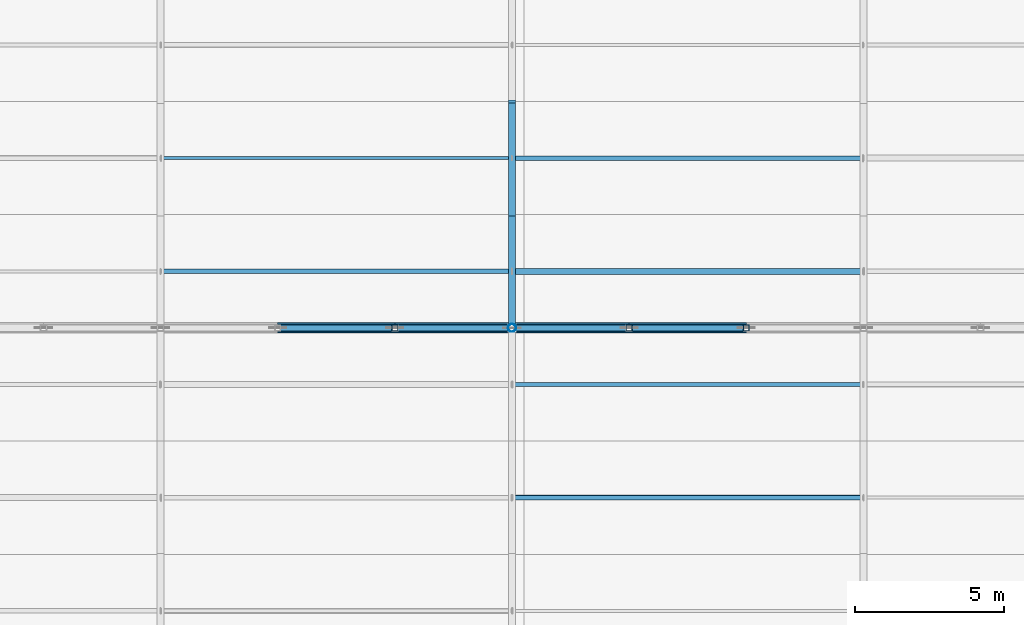
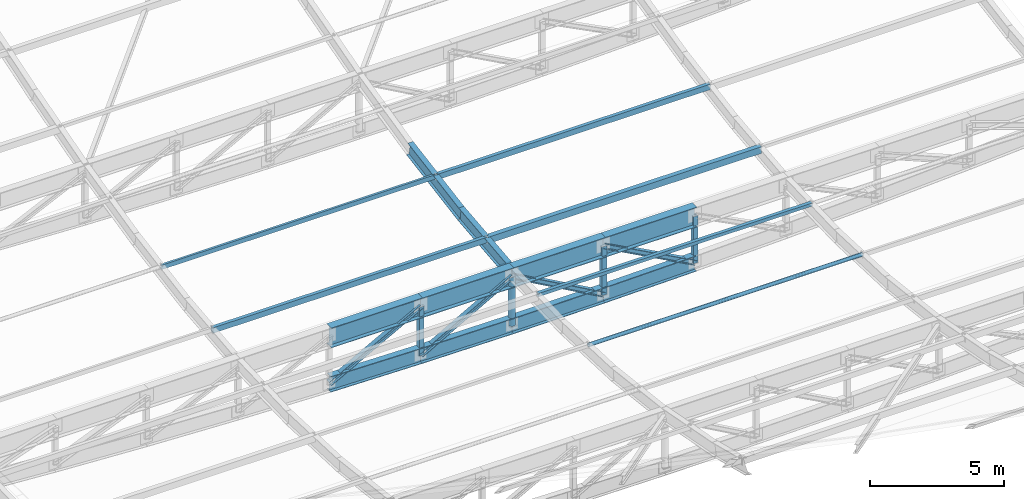
# One storey, part 16 of 65: 16 members, 8 beams.
"""IFC4 building model written with IfcOpenShell, lengths in metres."""

from ifc_helpers import new_model, si_unit, direction, frame, origin, origin_2d, place, context, subcontext, project, spatial, hollow_rectangle, hollow_circle, i_section, extrude, material, material_profile, profile_set, type_object, element, save


model = new_model("IFC4")

# Units and contexts
model_context = context("Model", 3, precision=1e-05, world=origin(), true_north=direction((0.0, 1.0)))
body_context = subcontext(model_context, "Body", "Model", "MODEL_VIEW")
ifc_project = project(units=[si_unit("LENGTHUNIT", "METRE"), si_unit("AREAUNIT", "SQUARE_METRE"), si_unit("VOLUMEUNIT", "CUBIC_METRE"), si_unit("PLANEANGLEUNIT", "RADIAN"), si_unit("MASSUNIT", "GRAM", prefix="KILO"), si_unit("POWERUNIT", "WATT"), si_unit("THERMODYNAMICTEMPERATUREUNIT", "KELVIN")], contexts=[model_context])

# Site, building, storey
site_placement = place(None, origin())
site = spatial("IfcSite", under=ifc_project, at=site_placement, CompositionType="ELEMENT")
building_placement = place(site_placement, origin())
building = spatial("IfcBuilding", under=site, at=building_placement, Name="Kelmbourne Parkland Aquatics Centre", CompositionType="ELEMENT")
storey_placement = place(building_placement, frame((0.0, 0.0, 27.0)))
storey = spatial("IfcBuildingStorey", under=building, at=storey_placement, Name="RF", CompositionType="ELEMENT", Elevation=27.0)

# Members
ifc_material_1 = material(Name="Structural steel AS/NZS 3679.1 Grade 300", Category="steel")
ifc_material_profile_1 = material_profile(ifc_material_1, i_section(OverallWidth=0.205078125, OverallDepth=0.2099609375, WebThickness=0.00927734375, FlangeThickness=0.01416015625, at=origin_2d()), Name="200UC59.5")
ifc_profile_set_1 = profile_set([ifc_material_profile_1], Name="Structural steel AS/NZS 3679.1 Grade 300")
member_type_1 = type_object("IfcMemberType", Name="MB-DIAG3", PredefinedType="STRUT", material=ifc_profile_set_1)
member_1_placement = place(storey_placement, frame((143.7333984375, 57.800048828125, -15.019287109375), z_axis=(0.87880703159, 0.0, 0.477177326817), x_axis=(0.0, 1.0, 0.0)))
element("IfcMember", 1, at=member_1_placement, inside=storey, type_object=member_type_1, Name="Roof truss R05 web diagonal 5", PredefinedType="STRUT", context=body_context, shape_type="SweptSolid", body=[
    extrude(i_section(OverallWidth=0.205078125, OverallDepth=0.2099609375, WebThickness=0.00927734375, FlangeThickness=0.01416015625, at=origin_2d()), origin(), (0.0, 0.0, 1.0), 4.475830078125),
])
member_2_placement = place(storey_placement, frame((147.666748046875, 57.800048828125, -15.090087890625), z_axis=(0.872140224212, 0.0, 0.489255995682), x_axis=(0.0, 1.0, 0.0)))
element("IfcMember", 2, at=member_2_placement, inside=storey, type_object=member_type_1, Name="Roof truss R05 web diagonal 6", PredefinedType="STRUT", context=body_context, shape_type="SweptSolid", body=[
    extrude(i_section(OverallWidth=0.205078125, OverallDepth=0.2099609375, WebThickness=0.00927734375, FlangeThickness=0.01416015625, at=origin_2d()), origin(), (0.0, 0.0, 1.0), 4.510009765625),
])
member_3_placement = place(storey_placement, frame((151.60009765625, 57.800048828125, -12.883544921875), z_axis=(0.87212726535, 0.0, -0.489279095235), x_axis=(0.0, 1.0, 0.0)))
element("IfcMember", 3, at=member_3_placement, inside=storey, type_object=member_type_1, Name="Roof truss R05 web diagonal 7", PredefinedType="STRUT", context=body_context, shape_type="SweptSolid", body=[
    extrude(i_section(OverallWidth=0.205078125, OverallDepth=0.2099609375, WebThickness=0.00927734375, FlangeThickness=0.01416015625, at=origin_2d()), origin(), (0.0, 0.0, 1.0), 4.509765625),
])
member_4_placement = place(storey_placement, frame((155.533203125, 57.800048828125, -12.883544921875), z_axis=(0.878819450955, 0.0, -0.477154453634), x_axis=(0.0, 1.0, 0.0)))
element("IfcMember", 4, at=member_4_placement, inside=storey, type_object=member_type_1, Name="Roof truss R05 web diagonal 8", PredefinedType="STRUT", context=body_context, shape_type="SweptSolid", body=[
    extrude(i_section(OverallWidth=0.205078125, OverallDepth=0.2099609375, WebThickness=0.00927734375, FlangeThickness=0.01416015625, at=origin_2d()), origin(), (0.0, 0.0, 1.0), 4.47607421875),
])
ifc_material_profile_2 = material_profile(ifc_material_1, i_section(OverallWidth=0.22900390625, OverallDepth=0.612060546875, WebThickness=0.011962890625, FlangeThickness=0.01953125, at=origin_2d()), Name="610UB125")
ifc_profile_set_2 = profile_set([ifc_material_profile_2], Name="Structural steel AS/NZS 3679.1 Grade 300")
member_type_2 = type_object("IfcMemberType", Name="MB-LRIB", PredefinedType="STRUT", material=ifc_profile_set_2)
member_5_placement = place(storey_placement, frame((151.60009765625, 57.800048828125, -12.763671875), z_axis=(0.0, 0.994394631205, 0.105732291336), x_axis=(-1.0, 0.0, 0.0)))
element("IfcMember", 5, at=member_5_placement, inside=storey, type_object=member_type_2, Name="Longitudinal wave rib K6 strip 16", PredefinedType="STRUT", context=body_context, shape_type="SweptSolid", body=[
    extrude(i_section(OverallWidth=0.22900390625, OverallDepth=0.612060546875, WebThickness=0.011962890625, FlangeThickness=0.01953125, at=origin_2d()), origin(), (0.0, 0.0, 1.0), 3.821533203125),
])
member_6_placement = place(storey_placement, frame((151.60009765625, 61.60009765625, -12.359619140625), z_axis=(0.0, 0.985411823196, 0.170186775941), x_axis=(-1.0, 0.0, 0.0)))
element("IfcMember", 6, at=member_6_placement, inside=storey, type_object=member_type_2, Name="Longitudinal wave rib K6 strip 17", PredefinedType="STRUT", context=body_context, shape_type="SweptSolid", body=[
    extrude(i_section(OverallWidth=0.22900390625, OverallDepth=0.612060546875, WebThickness=0.011962890625, FlangeThickness=0.01953125, at=origin_2d()), origin(), (0.0, 0.0, 1.0), 3.85595703125),
])
ifc_material_2 = material(Name="Cold-formed hollow steel AS/NZS 1163 C350L0", Category="steel")
ifc_material_profile_3 = material_profile(ifc_material_2, hollow_rectangle(XDim=0.199951171875, YDim=0.199951171875, WallThickness=0.010009765625, at=origin_2d()), Name="SHS 200x200x10.0")
ifc_profile_set_3 = profile_set([ifc_material_profile_3], Name="Cold-formed hollow steel AS/NZS 1163 C350L0")
member_type_3 = type_object("IfcMemberType", Name="MB-POST1", PredefinedType="STRUT", material=ifc_profile_set_3)
for number, where, z_axis, x_axis, name in (
    (7, (147.666748046875, 57.800048828125, -15.090087890625), (0.0, 0.0, 1.0), (1.0, 0.0, 0.0), "Roof truss R05 vertical post 5"),
    (8, (155.533203125, 57.800048828125, -15.090087890625), (0.0, 0.0, 1.0), (1.0, 0.0, 0.0), "Roof truss R05 vertical post 7"),
):
    element("IfcMember", number, at=place(storey_placement, frame(where, z_axis=z_axis, x_axis=x_axis)), inside=storey, type_object=member_type_3, Name=name, PredefinedType="STRUT", context=body_context, shape_type="SweptSolid", body=[
        extrude(hollow_rectangle(XDim=0.199951171875, YDim=0.199951171875, WallThickness=0.010009765625, at=origin_2d()), origin(), (0.0, 0.0, 1.0), 2.20654296875),
    ])
member_7_placement = place(storey_placement, frame((159.466796875, 57.800048828125, -15.019287109375), z_axis=(0.0, 0.0, 1.0), x_axis=(1.0, 0.0, 0.0)))
element("IfcMember", 9, at=member_7_placement, inside=storey, type_object=member_type_3, Name="Roof truss R05 vertical post 8", PredefinedType="STRUT", context=body_context, shape_type="SweptSolid", body=[
    extrude(hollow_rectangle(XDim=0.199951171875, YDim=0.199951171875, WallThickness=0.010009765625, at=origin_2d()), origin(), (0.0, 0.0, 1.0), 2.1357421875),
])
ifc_material_profile_4 = material_profile(ifc_material_2, hollow_circle(Radius=0.136474609375, WallThickness=0.00927734375, at=origin_2d()), Name="CHS 273.1x9.3")
ifc_profile_set_4 = profile_set([ifc_material_profile_4], Name="Cold-formed hollow steel AS/NZS 1163 C350L0")
member_type_4 = type_object("IfcMemberType", Name="MB-POST2", PredefinedType="STRUT", material=ifc_profile_set_4)
member_8_placement = place(storey_placement, frame((151.60009765625, 57.800048828125, -15.113525390625), z_axis=(0.0, 0.0, 1.0), x_axis=(1.0, 0.0, 0.0)))
element("IfcMember", 10, at=member_8_placement, inside=storey, type_object=member_type_4, Name="Roof truss R05 vertical post 6", PredefinedType="STRUT", context=body_context, shape_type="SweptSolid", body=[
    extrude(hollow_circle(Radius=0.136474609375, WallThickness=0.00927734375, at=origin_2d()), origin(), (0.0, 0.0, 1.0), 2.22998046875),
])
ifc_material_profile_5 = material_profile(ifc_material_2, hollow_rectangle(XDim=0.10009765625, YDim=0.199951171875, WallThickness=0.006103515625, at=origin_2d()), Name="RHS 200x100x6.0")
ifc_profile_set_5 = profile_set([ifc_material_profile_5], Name="Cold-formed hollow steel AS/NZS 1163 C350L0")
member_type_5 = type_object("IfcMemberType", Name="MB-PUR1", PredefinedType="PURLIN", material=ifc_profile_set_5)
member_9_placement = place(storey_placement, frame((139.800048828125, 63.5, -11.8212890625), z_axis=(1.0, 0.0, 0.0), x_axis=(0.0, 1.0, 0.0)))
element("IfcMember", 11, at=member_9_placement, inside=storey, type_object=member_type_5, Name="Wave roof purlin S17-G2", PredefinedType="PURLIN", context=body_context, shape_type="SweptSolid", body=[
    extrude(hollow_rectangle(XDim=0.10009765625, YDim=0.199951171875, WallThickness=0.006103515625, at=origin_2d()), origin(), (0.0, 0.0, 1.0), 11.800048828125),
])
ifc_material_profile_6 = material_profile(ifc_material_2, hollow_rectangle(XDim=0.14990234375, YDim=0.25, WallThickness=0.009033203125, at=origin_2d()), Name="RHS 250x150x9.0")
ifc_profile_set_6 = profile_set([ifc_material_profile_6], Name="Cold-formed hollow steel AS/NZS 1163 C350L0")
member_type_6 = type_object("IfcMemberType", Name="MB-PUR2", PredefinedType="PURLIN", material=ifc_profile_set_6)
member_10_placement = place(storey_placement, frame((139.800048828125, 59.699951171875, -12.37646484375), z_axis=(1.0, 0.0, 0.0), x_axis=(0.0, 1.0, 0.0)))
element("IfcMember", 12, at=member_10_placement, inside=storey, type_object=member_type_6, Name="Wave roof purlin S16-G2", PredefinedType="PURLIN", context=body_context, shape_type="SweptSolid", body=[
    extrude(hollow_rectangle(XDim=0.14990234375, YDim=0.25, WallThickness=0.009033203125, at=origin_2d()), origin(), (0.0, 0.0, 1.0), 11.800048828125),
])
member_11_placement = place(storey_placement, frame((151.60009765625, 63.5, -11.846435546875), z_axis=(1.0, 0.0, 0.0), x_axis=(0.0, 1.0, 0.0)))
element("IfcMember", 13, at=member_11_placement, inside=storey, type_object=member_type_6, Name="Wave roof purlin S17-G3", PredefinedType="PURLIN", context=body_context, shape_type="SweptSolid", body=[
    extrude(hollow_rectangle(XDim=0.14990234375, YDim=0.25, WallThickness=0.009033203125, at=origin_2d()), origin(), (0.0, 0.0, 1.0), 11.7998046875),
])
ifc_material_profile_7 = material_profile(ifc_material_2, hollow_rectangle(XDim=0.199951171875, YDim=0.300048828125, WallThickness=0.010009765625, at=origin_2d()), Name="RHS 300x200x10.0")
ifc_profile_set_7 = profile_set([ifc_material_profile_7], Name="Cold-formed hollow steel AS/NZS 1163 C350L0")
member_type_7 = type_object("IfcMemberType", Name="MB-PUR3", PredefinedType="PURLIN", material=ifc_profile_set_7)
member_12_placement = place(storey_placement, frame((151.60009765625, 59.699951171875, -12.401611328125), z_axis=(1.0, 0.0, 0.0), x_axis=(0.0, 1.0, 0.0)))
element("IfcMember", 14, at=member_12_placement, inside=storey, type_object=member_type_7, Name="Wave roof purlin S16-G3", PredefinedType="PURLIN", context=body_context, shape_type="SweptSolid", body=[
    extrude(hollow_rectangle(XDim=0.199951171875, YDim=0.300048828125, WallThickness=0.010009765625, at=origin_2d()), origin(), (0.0, 0.0, 1.0), 11.7998046875),
])
ifc_material_profile_8 = material_profile(ifc_material_2, hollow_rectangle(XDim=0.14990234375, YDim=0.14990234375, WallThickness=0.009033203125, at=origin_2d()), Name="SHS 150x150x9.0")
ifc_profile_set_8 = profile_set([ifc_material_profile_8], Name="Cold-formed hollow steel AS/NZS 1163 C350L0")
member_type_8 = type_object("IfcMemberType", Name="MB-PUR4", PredefinedType="PURLIN", material=ifc_profile_set_8)
member_13_placement = place(storey_placement, frame((151.60009765625, 55.89990234375, -12.5966796875), z_axis=(1.0, 0.0, 0.0), x_axis=(0.0, 1.0, 0.0)))
element("IfcMember", 15, at=member_13_placement, inside=storey, type_object=member_type_8, Name="Wave roof purlin S15-G3", PredefinedType="PURLIN", context=body_context, shape_type="SweptSolid", body=[
    extrude(hollow_rectangle(XDim=0.14990234375, YDim=0.14990234375, WallThickness=0.009033203125, at=origin_2d()), origin(), (0.0, 0.0, 1.0), 11.7998046875),
])
ifc_material_profile_9 = material_profile(ifc_material_2, hollow_circle(Radius=0.084228515625, WallThickness=0.007080078125, at=origin_2d()), Name="CHS 168.3x7.1")
ifc_profile_set_9 = profile_set([ifc_material_profile_9], Name="Cold-formed hollow steel AS/NZS 1163 C350L0")
member_type_9 = type_object("IfcMemberType", Name="MB-PUR5", PredefinedType="PURLIN", material=ifc_profile_set_9)
member_14_placement = place(storey_placement, frame((151.60009765625, 52.10009765625, -12.59765625), z_axis=(1.0, 0.0, 0.0), x_axis=(0.0, 1.0, 0.0)))
element("IfcMember", 16, at=member_14_placement, inside=storey, type_object=member_type_9, Name="Wave roof purlin S14-G3", PredefinedType="PURLIN", context=body_context, shape_type="SweptSolid", body=[
    extrude(hollow_circle(Radius=0.084228515625, WallThickness=0.007080078125, at=origin_2d()), origin(), (0.0, 0.0, 1.0), 11.7998046875),
])

# Beams
ifc_material_3 = material(Name="Welded plate steel AS/NZS 3678 Grade 350", Category="steel")
ifc_material_profile_10 = material_profile(ifc_material_3, i_section(OverallWidth=0.27490234375, OverallDepth=0.716064453125, WebThickness=0.011962890625, FlangeThickness=0.02490234375, at=origin_2d()), Name="700WB173")
ifc_profile_set_10 = profile_set([ifc_material_profile_10], Name="Welded plate steel AS/NZS 3678 Grade 350")
beam_type_1 = type_object("IfcBeamType", Name="TR-BC1", PredefinedType="BEAM", material=ifc_profile_set_10)
beam_1_placement = place(storey_placement, frame((143.7333984375, 57.800048828125, -15.019287109375), z_axis=(0.999838037122, 0.0, -0.017997208787), x_axis=(0.0, 1.0, 0.0)))
element("IfcBeam", 17, at=beam_1_placement, inside=storey, type_object=beam_type_1, Name="Roof truss R05 bottom chord 5", PredefinedType="BEAM", context=body_context, shape_type="SweptSolid", body=[
    extrude(i_section(OverallWidth=0.27490234375, OverallDepth=0.716064453125, WebThickness=0.011962890625, FlangeThickness=0.02490234375, at=origin_2d()), origin(), (0.0, 0.0, 1.0), 3.93408203125),
])
beam_2_placement = place(storey_placement, frame((147.666748046875, 57.800048828125, -15.090087890625), z_axis=(0.999982247648, 0.0, -0.005958556004), x_axis=(0.0, 1.0, 0.0)))
element("IfcBeam", 18, at=beam_2_placement, inside=storey, type_object=beam_type_1, Name="Roof truss R05 bottom chord 6", PredefinedType="BEAM", context=body_context, shape_type="SweptSolid", body=[
    extrude(i_section(OverallWidth=0.27490234375, OverallDepth=0.716064453125, WebThickness=0.011962890625, FlangeThickness=0.02490234375, at=origin_2d()), origin(), (0.0, 0.0, 1.0), 3.933349609375),
])
beam_3_placement = place(storey_placement, frame((151.60009765625, 57.800048828125, -15.113525390625), z_axis=(0.999982245444, 0.0, 0.005958925857), x_axis=(0.0, 1.0, 0.0)))
element("IfcBeam", 19, at=beam_3_placement, inside=storey, type_object=beam_type_1, Name="Roof truss R05 bottom chord 7", PredefinedType="BEAM", context=body_context, shape_type="SweptSolid", body=[
    extrude(i_section(OverallWidth=0.27490234375, OverallDepth=0.716064453125, WebThickness=0.011962890625, FlangeThickness=0.02490234375, at=origin_2d()), origin(), (0.0, 0.0, 1.0), 3.93310546875),
])
beam_4_placement = place(storey_placement, frame((155.533203125, 57.800048828125, -15.090087890625), z_axis=(0.999838057221, 0.0, 0.017996092142), x_axis=(0.0, 1.0, 0.0)))
element("IfcBeam", 20, at=beam_4_placement, inside=storey, type_object=beam_type_1, Name="Roof truss R05 bottom chord 8", PredefinedType="BEAM", context=body_context, shape_type="SweptSolid", body=[
    extrude(i_section(OverallWidth=0.27490234375, OverallDepth=0.716064453125, WebThickness=0.011962890625, FlangeThickness=0.02490234375, at=origin_2d()), origin(), (0.0, 0.0, 1.0), 3.934326171875),
])
ifc_material_profile_11 = material_profile(ifc_material_3, i_section(OverallWidth=0.35009765625, OverallDepth=0.909912109375, WebThickness=0.011962890625, FlangeThickness=0.02490234375, at=origin_2d()), Name="900WB218")
ifc_profile_set_11 = profile_set([ifc_material_profile_11], Name="Welded plate steel AS/NZS 3678 Grade 350")
beam_type_2 = type_object("IfcBeamType", Name="TR-TC1", PredefinedType="BEAM", material=ifc_profile_set_11)
for number, where, z_axis, x_axis, name in (
    (21, (143.7333984375, 57.800048828125, -12.883544921875), (1.0, 0.0, 0.0), (0.0, 1.0, 0.0), "Roof truss R05 top chord 5"),
    (22, (147.666748046875, 57.800048828125, -12.883544921875), (1.0, 0.0, 0.0), (0.0, 1.0, 0.0), "Roof truss R05 top chord 6"),
):
    element("IfcBeam", number, at=place(storey_placement, frame(where, z_axis=z_axis, x_axis=x_axis)), inside=storey, type_object=beam_type_2, Name=name, PredefinedType="BEAM", context=body_context, shape_type="SweptSolid", body=[
        extrude(i_section(OverallWidth=0.35009765625, OverallDepth=0.909912109375, WebThickness=0.011962890625, FlangeThickness=0.02490234375, at=origin_2d()), origin(), (0.0, 0.0, 1.0), 3.933349609375),
    ])
beam_5_placement = place(storey_placement, frame((151.60009765625, 57.800048828125, -12.883544921875), z_axis=(1.0, 0.0, 0.0), x_axis=(0.0, 1.0, 0.0)))
element("IfcBeam", 23, at=beam_5_placement, inside=storey, type_object=beam_type_2, Name="Roof truss R05 top chord 7", PredefinedType="BEAM", context=body_context, shape_type="SweptSolid", body=[
    extrude(i_section(OverallWidth=0.35009765625, OverallDepth=0.909912109375, WebThickness=0.011962890625, FlangeThickness=0.02490234375, at=origin_2d()), origin(), (0.0, 0.0, 1.0), 3.93310546875),
])
beam_6_placement = place(storey_placement, frame((155.533203125, 57.800048828125, -12.883544921875), z_axis=(1.0, 0.0, 0.0), x_axis=(0.0, 1.0, 0.0)))
element("IfcBeam", 24, at=beam_6_placement, inside=storey, type_object=beam_type_2, Name="Roof truss R05 top chord 8", PredefinedType="BEAM", context=body_context, shape_type="SweptSolid", body=[
    extrude(i_section(OverallWidth=0.35009765625, OverallDepth=0.909912109375, WebThickness=0.011962890625, FlangeThickness=0.02490234375, at=origin_2d()), origin(), (0.0, 0.0, 1.0), 3.93359375),
])

save(model, "model.ifc")
